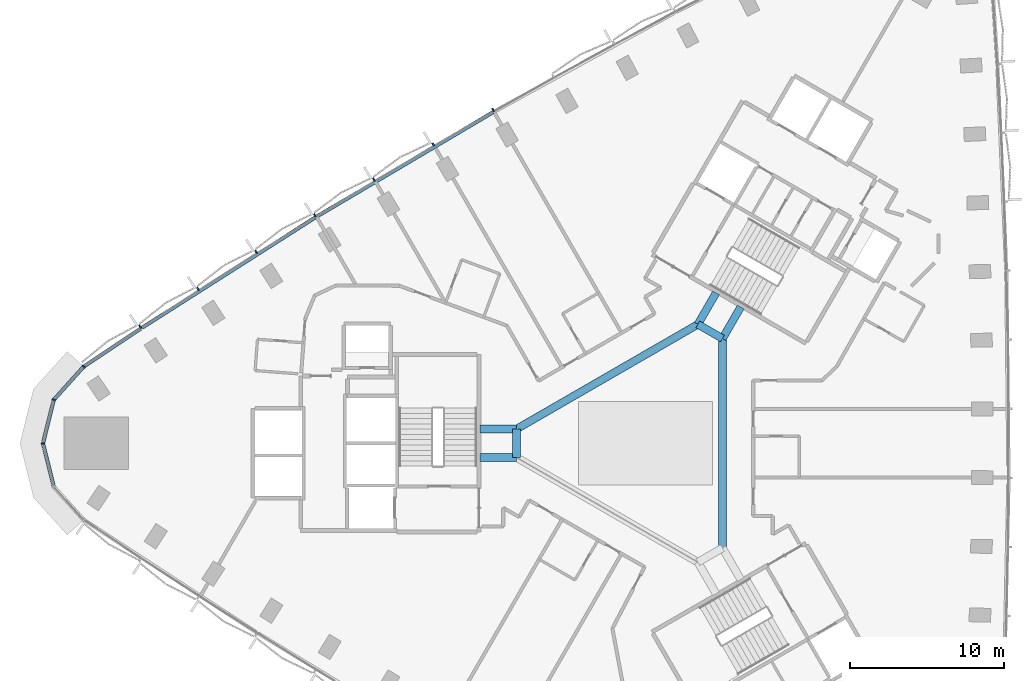
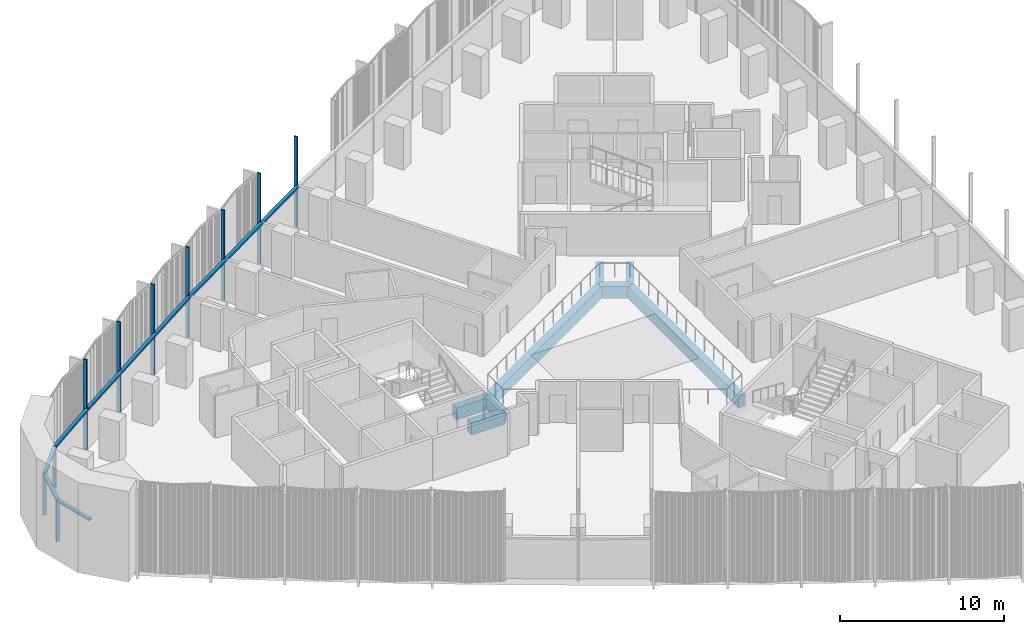
# One storey, part 4 of 15: 16 members, 8 beams, 1 element without a shape of its own.
"""IFC4 building model written with IfcOpenShell, lengths in metres."""

from ifc_helpers import new_model, si_unit, direction, frame, origin, origin_2d, place, context, subcontext, project, spatial, rectangle, extrude, material, material_profile, profile_set, type_object, element, aggregate, save


model = new_model("IFC4")

# Units and contexts
model_context = context("Model", 3, precision=1e-05, world=origin(), true_north=direction((0.0, 1.0)))
body_context = subcontext(model_context, "Body", "Model", "MODEL_VIEW")
ifc_project = project(units=[si_unit("LENGTHUNIT", "METRE"), si_unit("AREAUNIT", "SQUARE_METRE"), si_unit("VOLUMEUNIT", "CUBIC_METRE"), si_unit("PLANEANGLEUNIT", "RADIAN"), si_unit("MASSUNIT", "GRAM", prefix="KILO")], contexts=[model_context])

# Site, building, storey
site_placement = place(None, origin())
site = spatial("IfcSite", under=ifc_project, at=site_placement, CompositionType="ELEMENT")
building_placement = place(site_placement, origin())
building = spatial("IfcBuilding", under=site, at=building_placement, Name="Tamra Quay Hotel Tower", CompositionType="ELEMENT")
storey_placement = place(building_placement, frame((0.0, 0.0, 35.0)))
storey = spatial("IfcBuildingStorey", under=building, at=storey_placement, Name="L06", CompositionType="ELEMENT", Elevation=35.0)

# Beams
ifc_material_1 = material(Name="Concrete M60", Category="concrete")
ifc_material_profile_1 = material_profile(ifc_material_1, rectangle(XDim=0.5, YDim=0.89990234375, at=origin_2d()), Name="ATRIUM EDGE BEAM RC 500x900")
ifc_profile_set_1 = profile_set([ifc_material_profile_1], Name="Concrete M60")
beam_type_1 = type_object("IfcBeamType", Name="ATRIUM EDGE BEAM RC 500x900", PredefinedType="BEAM", material=ifc_profile_set_1)
beam_1_placement = place(storey_placement, frame((5.0, 6.812744140625, -0.925048828125), z_axis=(0.0, -1.0, 0.0), x_axis=(1.0, 0.0, 0.0)))
element("IfcBeam", 1, at=beam_1_placement, inside=storey, type_object=beam_type_1, Name="BM-AB0-L06", PredefinedType="BEAM", context=body_context, shape_type="SweptSolid", body=[
    extrude(rectangle(XDim=0.5, YDim=0.89990234375, at=origin_2d()), origin(), (0.0, 0.0, 1.0), 13.62548828125),
])
beam_2_placement = place(storey_placement, frame((-8.39990234375, -0.923828125, -0.925048828125), z_axis=(0.0, 1.0, 0.0), x_axis=(-1.0, 0.0, 0.0)))
element("IfcBeam", 2, at=beam_2_placement, inside=storey, type_object=beam_type_1, Name="BM-AB3-L06", PredefinedType="BEAM", context=body_context, shape_type="SweptSolid", body=[
    extrude(rectangle(XDim=0.5, YDim=0.89990234375, at=origin_2d()), origin(), (0.0, 0.0, 1.0), 1.84765625),
])
beam_3_placement = place(storey_placement, frame((-8.39990234375, 0.923828125, -0.925048828125), z_axis=(0.866021471679, 0.500006810544, 0.0), x_axis=(-0.500006810544, 0.866021471679, 0.0)))
element("IfcBeam", 3, at=beam_3_placement, inside=storey, type_object=beam_type_1, Name="BM-AB4-L06", PredefinedType="BEAM", context=body_context, shape_type="SweptSolid", body=[
    extrude(rectangle(XDim=0.5, YDim=0.89990234375, at=origin_2d()), origin(), (0.0, 0.0, 1.0), 13.625244140625),
])
beam_4_placement = place(storey_placement, frame((3.39990234375, 7.736572265625, -0.925048828125), z_axis=(0.86602275259, -0.500004591975, 0.0), x_axis=(0.500004591975, 0.86602275259, 0.0)))
element("IfcBeam", 4, at=beam_4_placement, inside=storey, type_object=beam_type_1, Name="BM-AB5-L06", PredefinedType="BEAM", context=body_context, shape_type="SweptSolid", body=[
    extrude(rectangle(XDim=0.5, YDim=0.89990234375, at=origin_2d()), origin(), (0.0, 0.0, 1.0), 1.84765625),
])
ifc_material_profile_2 = material_profile(ifc_material_1, rectangle(XDim=0.5, YDim=0.89990234375, at=origin_2d()), Name="ATRIUM TIE BEAM RC 500x900")
ifc_profile_set_2 = profile_set([ifc_material_profile_2], Name="Concrete M60")
beam_type_2 = type_object("IfcBeamType", Name="ATRIUM TIE BEAM RC 500x900", PredefinedType="BEAM", material=ifc_profile_set_2)
beam_5_placement = place(storey_placement, frame((5.0, 6.812744140625, -0.925048828125), z_axis=(0.500029618126, 0.866008303076, 0.0), x_axis=(-0.866008303076, 0.500029618126, 0.0)))
element("IfcBeam", 5, at=beam_5_placement, inside=storey, type_object=beam_type_2, Name="BM-TIE-0-L06", PredefinedType="BEAM", context=body_context, shape_type="SweptSolid", body=[
    extrude(rectangle(XDim=0.5, YDim=0.89990234375, at=origin_2d()), origin(), (0.0, 0.0, 1.0), 2.362060546875),
])
for number, where, z_axis, x_axis, name in (
    (6, (-8.39990234375, -0.923828125, -0.925048828125), (-1.0, 0.0, 0.0), (0.0, -1.0, 0.0), "BM-TIE-3-L06"),
    (7, (-8.39990234375, 0.923828125, -0.925048828125), (-1.0, 0.0, 0.0), (0.0, -1.0, 0.0), "BM-TIE-4-L06"),
):
    element("IfcBeam", number, at=place(storey_placement, frame(where, z_axis=z_axis, x_axis=x_axis)), inside=storey, type_object=beam_type_2, Name=name, PredefinedType="BEAM", context=body_context, shape_type="SweptSolid", body=[
        extrude(rectangle(XDim=0.5, YDim=0.89990234375, at=origin_2d()), origin(), (0.0, 0.0, 1.0), 2.3623046875),
    ])
beam_6_placement = place(storey_placement, frame((3.39990234375, 7.736572265625, -0.925048828125), z_axis=(0.500029618126, 0.866008303076, 0.0), x_axis=(-0.866008303076, 0.500029618126, 0.0)))
element("IfcBeam", 8, at=beam_6_placement, inside=storey, type_object=beam_type_2, Name="BM-TIE-5-L06", PredefinedType="BEAM", context=body_context, shape_type="SweptSolid", body=[
    extrude(rectangle(XDim=0.5, YDim=0.89990234375, at=origin_2d()), origin(), (0.0, 0.0, 1.0), 2.362060546875),
])

# Curtain wall, members
ifc_material_2 = material(Name="Aluminium 6063 anodised dark grey", Category="aluminium")
curtain_wall_type = type_object("IfcCurtainWallType", Name="CW2 CURTAIN WALL", PredefinedType="NOTDEFINED", material=ifc_material_2)
curtain_wall_placement = place(storey_placement, origin())
curtain_wall = element("IfcCurtainWall", 9, at=curtain_wall_placement, inside=storey, type_object=curtain_wall_type, Name="CW2 north-west face L06", PredefinedType="NOTDEFINED")
ifc_material_profile_3 = material_profile(ifc_material_2, rectangle(XDim=0.239990234375, YDim=0.10009765625, at=origin_2d()), Name="MULLION 100X240")
ifc_profile_set_3 = profile_set([ifc_material_profile_3], Name="Aluminium 6063 anodised dark grey")
member_type_1 = type_object("IfcMemberType", Name="MULLION CW2 Z1", PredefinedType="MULLION", material=ifc_profile_set_3)
member_1_placement = place(storey_placement, frame((-9.9248046875, 21.680419921875, 0.0), z_axis=(0.0, 0.0, 1.0), x_axis=(-0.495300312687, 0.868721819832, 0.0)))
member_1 = element("IfcMember", 10, at=member_1_placement, type_object=member_type_1, Name="CW2 mullion L06.NW.7", PredefinedType="MULLION", context=body_context, shape_type="SweptSolid", body=[
    extrude(rectangle(XDim=0.239990234375, YDim=0.10009765625, at=origin_2d()), origin(), (0.0, 0.0, 1.0), 6.72509765625),
])
member_2_placement = place(storey_placement, frame((-13.8134765625, 19.435546875, 0.0), z_axis=(0.0, 0.0, 1.0), x_axis=(-0.504685008453, 0.863303563205, 0.0)))
member_2 = element("IfcMember", 11, at=member_2_placement, type_object=member_type_1, Name="CW2 mullion L06.NW.8", PredefinedType="MULLION", context=body_context, shape_type="SweptSolid", body=[
    extrude(rectangle(XDim=0.239990234375, YDim=0.10009765625, at=origin_2d()), origin(), (0.0, 0.0, 1.0), 6.72509765625),
])
member_3_placement = place(storey_placement, frame((-17.67724609375, 17.1484375, 0.0), z_axis=(0.0, 0.0, 1.0), x_axis=(-0.514004526657, 0.857787471683, 0.0)))
member_3 = element("IfcMember", 12, at=member_3_placement, type_object=member_type_1, Name="CW2 mullion L06.NW.9", PredefinedType="MULLION", context=body_context, shape_type="SweptSolid", body=[
    extrude(rectangle(XDim=0.239990234375, YDim=0.10009765625, at=origin_2d()), origin(), (0.0, 0.0, 1.0), 6.72509765625),
])
member_4_placement = place(storey_placement, frame((-21.51708984375, 14.8193359375, 0.0), z_axis=(0.0, 0.0, 1.0), x_axis=(-0.523257144174, 0.852174841843, 0.0)))
member_4 = element("IfcMember", 13, at=member_4_placement, type_object=member_type_1, Name="CW2 mullion L06.NW.10", PredefinedType="MULLION", context=body_context, shape_type="SweptSolid", body=[
    extrude(rectangle(XDim=0.239990234375, YDim=0.10009765625, at=origin_2d()), origin(), (0.0, 0.0, 1.0), 6.72509765625),
])
member_5_placement = place(storey_placement, frame((-25.33056640625, 12.44921875, 0.0), z_axis=(0.0, 0.0, 1.0), x_axis=(-0.532446882669, 0.846463417482, 0.0)))
member_5 = element("IfcMember", 14, at=member_5_placement, type_object=member_type_1, Name="CW2 mullion L06.NW.11", PredefinedType="MULLION", context=body_context, shape_type="SweptSolid", body=[
    extrude(rectangle(XDim=0.239990234375, YDim=0.10009765625, at=origin_2d()), origin(), (0.0, 0.0, 1.0), 6.72509765625),
])
member_6_placement = place(storey_placement, frame((-29.1181640625, 10.037841796875, 0.0), z_axis=(0.0, 0.0, 1.0), x_axis=(-0.541560885498, 0.84066152957, 0.0)))
member_6 = element("IfcMember", 15, at=member_6_placement, type_object=member_type_1, Name="CW2 mullion L06.NW.12", PredefinedType="MULLION", context=body_context, shape_type="SweptSolid", body=[
    extrude(rectangle(XDim=0.239990234375, YDim=0.10009765625, at=origin_2d()), origin(), (0.0, 0.0, 1.0), 6.72509765625),
])
member_7_placement = place(storey_placement, frame((-32.88037109375, 7.58544921875, 0.0), z_axis=(0.0, 0.0, 1.0), x_axis=(-0.550591269595, 0.834774971981, 0.0)))
member_7 = element("IfcMember", 16, at=member_7_placement, type_object=member_type_1, Name="CW2 mullion L06.NW.13", PredefinedType="MULLION", context=body_context, shape_type="SweptSolid", body=[
    extrude(rectangle(XDim=0.239990234375, YDim=0.10009765625, at=origin_2d()), origin(), (0.0, 0.0, 1.0), 6.72509765625),
])
member_8_placement = place(storey_placement, frame((-36.547607421875, 4.993896484375, 0.0), z_axis=(0.0, 0.0, 1.0), x_axis=(-0.654196774513, 0.756324388221, 0.0)))
member_8 = element("IfcMember", 17, at=member_8_placement, type_object=member_type_1, Name="CW2 mullion L06.NW.14", PredefinedType="MULLION", context=body_context, shape_type="SweptSolid", body=[
    extrude(rectangle(XDim=0.239990234375, YDim=0.10009765625, at=origin_2d()), origin(), (0.0, 0.0, 1.0), 3.125),
])
member_9_placement = place(storey_placement, frame((-38.497802734375, 2.828125, 0.0), z_axis=(0.0, 0.0, 1.0), x_axis=(-0.882955345235, 0.469456982396, 0.0)))
member_9 = element("IfcMember", 18, at=member_9_placement, type_object=member_type_1, Name="CW2 mullion L06.NW.15", PredefinedType="MULLION", context=body_context, shape_type="SweptSolid", body=[
    extrude(rectangle(XDim=0.239990234375, YDim=0.10009765625, at=origin_2d()), origin(), (0.0, 0.0, 1.0), 3.125),
])
member_10_placement = place(storey_placement, frame((-39.202880859375, 0.0, 0.0), z_axis=(0.0, 0.0, 1.0), x_axis=(-1.0, 0.0, 0.0)))
member_10 = element("IfcMember", 19, at=member_10_placement, type_object=member_type_1, Name="CW2 mullion L06.NW.16", PredefinedType="MULLION", context=body_context, shape_type="SweptSolid", body=[
    extrude(rectangle(XDim=0.239990234375, YDim=0.10009765625, at=origin_2d()), origin(), (0.0, 0.0, 1.0), 3.125),
])
ifc_material_profile_4 = material_profile(ifc_material_2, rectangle(XDim=0.239990234375, YDim=0.139892578125, at=origin_2d()), Name="TRANSOM 240X140")
ifc_profile_set_4 = profile_set([ifc_material_profile_4], Name="Aluminium 6063 anodised dark grey")
member_type_2 = type_object("IfcMemberType", Name="TRANSOM CW2 Z1", PredefinedType="USERDEFINED", material=ifc_profile_set_4)
member_11_placement = place(storey_placement, frame((-9.90869140625, 21.55126953125, 3.054931640625), z_axis=(-0.860560507804, -0.509348223133, 0.0), x_axis=(0.509348223133, -0.860560507804, 0.0)))
member_11 = element("IfcMember", 20, at=member_11_placement, type_object=member_type_2, Name="CW2 transom L06.NW.7", ObjectType="TRANSOM", PredefinedType="USERDEFINED", context=body_context, shape_type="SweptSolid", body=[
    extrude(rectangle(XDim=0.239990234375, YDim=0.139892578125, at=origin_2d()), origin(), (0.0, 0.0, 1.0), 13.36669921875),
])
member_12_placement = place(storey_placement, frame((-21.496826171875, 14.690673828125, 3.054931640625), z_axis=(-0.843574233819, -0.537012580892, 0.0), x_axis=(0.537012580892, -0.843574233819, 0.0)))
member_12 = element("IfcMember", 21, at=member_12_placement, type_object=member_type_2, Name="CW2 transom L06.NW.10", ObjectType="TRANSOM", PredefinedType="USERDEFINED", context=body_context, shape_type="SweptSolid", body=[
    extrude(rectangle(XDim=0.239990234375, YDim=0.139892578125, at=origin_2d()), origin(), (0.0, 0.0, 1.0), 13.366455078125),
])
member_13_placement = place(storey_placement, frame((-32.85595703125, 7.45751953125, 3.054931640625), z_axis=(-0.831801992413, -0.555072468618, 0.0), x_axis=(0.555072468618, -0.831801992413, 0.0)))
member_13 = element("IfcMember", 22, at=member_13_placement, type_object=member_type_2, Name="CW2 transom L06.NW.13", ObjectType="TRANSOM", PredefinedType="USERDEFINED", context=body_context, shape_type="SweptSolid", body=[
    extrude(rectangle(XDim=0.239990234375, YDim=0.139892578125, at=origin_2d()), origin(), (0.0, 0.0, 1.0), 4.38818359375),
])
member_14_placement = place(storey_placement, frame((-36.5810546875, 4.956787109375, 3.054931640625), z_axis=(-0.669142034262, -0.743134535588, 0.0), x_axis=(0.743134535588, -0.669142034262, 0.0)))
member_14 = element("IfcMember", 23, at=member_14_placement, type_object=member_type_2, Name="CW2 transom L06.NW.14", ObjectType="TRANSOM", PredefinedType="USERDEFINED", context=body_context, shape_type="SweptSolid", body=[
    extrude(rectangle(XDim=0.239990234375, YDim=0.139892578125, at=origin_2d()), origin(), (0.0, 0.0, 1.0), 2.814453125),
])
member_15_placement = place(storey_placement, frame((-38.510009765625, 2.779541015625, 3.054931640625), z_axis=(-0.241841612879, -0.970315739479, 0.0), x_axis=(0.970315739479, -0.241841612879, 0.0)))
member_15 = element("IfcMember", 24, at=member_15_placement, type_object=member_type_2, Name="CW2 transom L06.NW.15", ObjectType="TRANSOM", PredefinedType="USERDEFINED", context=body_context, shape_type="SweptSolid", body=[
    extrude(rectangle(XDim=0.239990234375, YDim=0.139892578125, at=origin_2d()), origin(), (0.0, 0.0, 1.0), 2.814453125),
])
member_16_placement = place(storey_placement, frame((-39.190673828125, -0.048583984375, 3.054931640625), z_axis=(0.241841612879, -0.970315739479, 0.0), x_axis=(0.970315739479, 0.241841612879, 0.0)))
member_16 = element("IfcMember", 25, at=member_16_placement, type_object=member_type_2, Name="CW2 transom L06.NW.16", ObjectType="TRANSOM", PredefinedType="USERDEFINED", context=body_context, shape_type="SweptSolid", body=[
    extrude(rectangle(XDim=0.239990234375, YDim=0.139892578125, at=origin_2d()), origin(), (0.0, 0.0, 1.0), 2.814453125),
])
aggregate(curtain_wall, [member_1, member_11, member_2, member_3, member_4, member_12, member_5, member_6, member_7, member_13, member_8, member_14, member_9, member_15, member_10, member_16])

save(model, "model.ifc")
